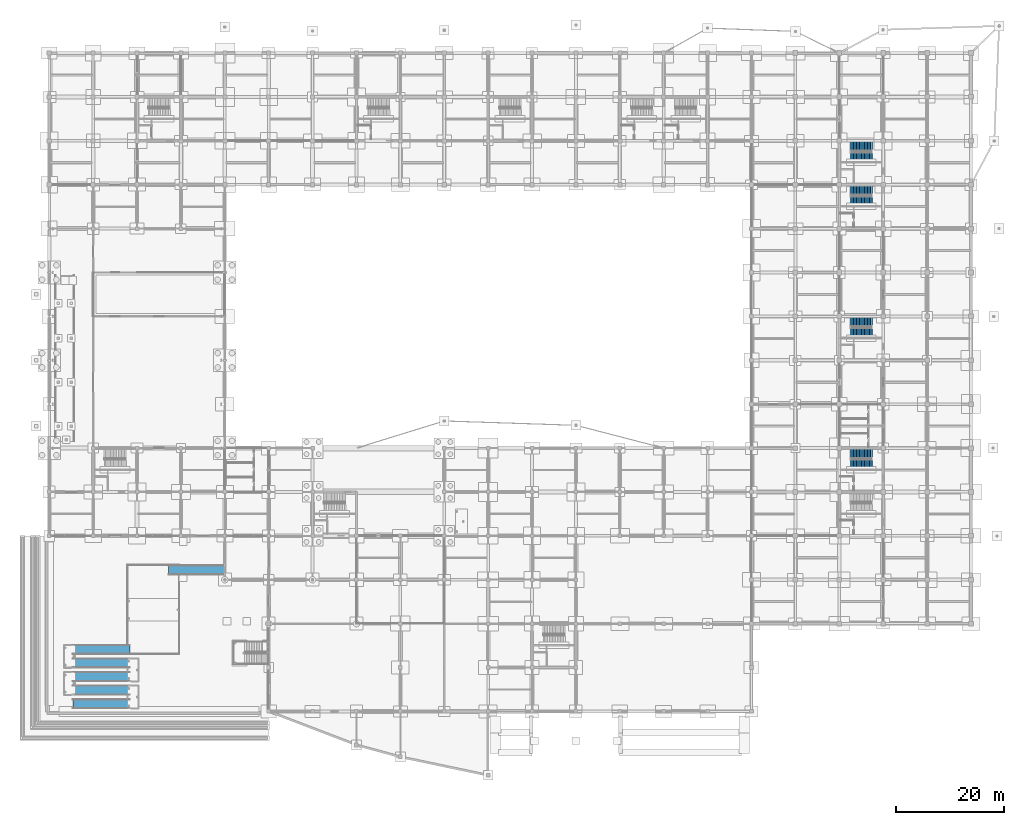
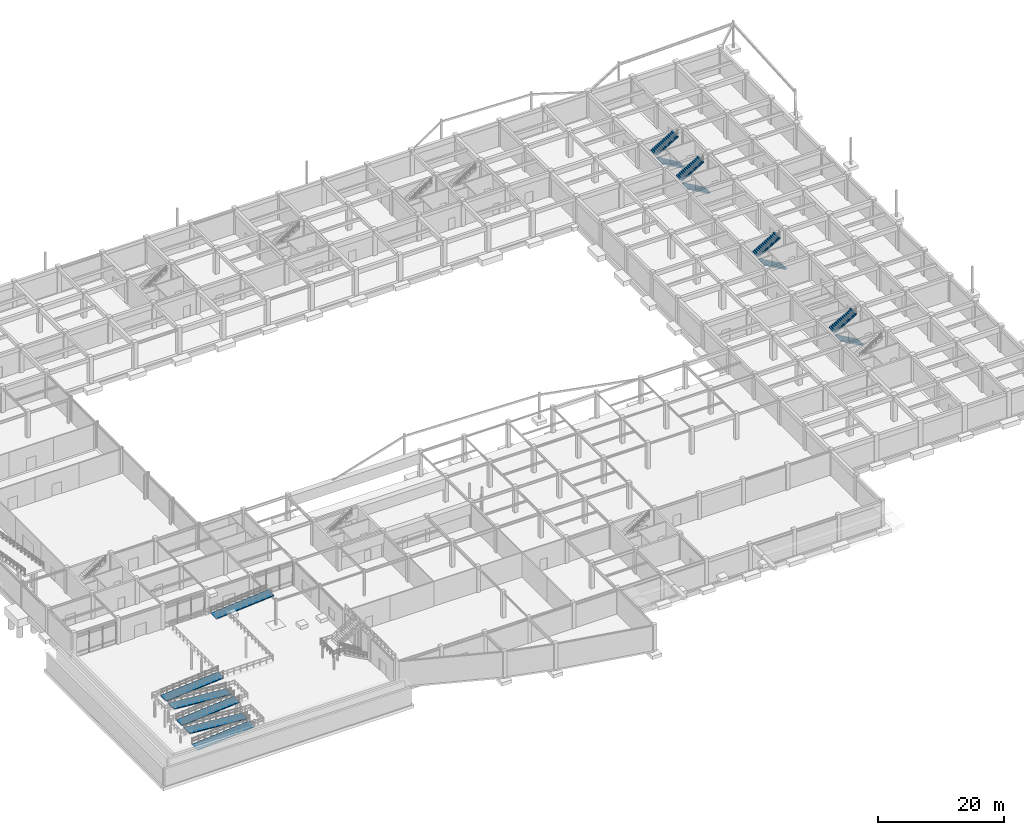
# One storey, part 57 of 67: 8 stair flights, 6 ramp flights, 10 elements without a shape of their own.
"""IFC4 building model written with IfcOpenShell, lengths in metres."""

from ifc_helpers import new_model, si_unit, direction, frame, origin, place, context, subcontext, project, spatial, polyline, outline, extrude, material, type_object, element, aggregate, save


model = new_model("IFC4")

# Units and contexts
model_context = context("Model", 3, precision=1e-05, world=origin(), true_north=direction((0.0, 1.0)))
body_context = subcontext(model_context, "Body", "Model", "MODEL_VIEW")
ifc_project = project(units=[si_unit("LENGTHUNIT", "METRE"), si_unit("AREAUNIT", "SQUARE_METRE"), si_unit("VOLUMEUNIT", "CUBIC_METRE"), si_unit("PLANEANGLEUNIT", "RADIAN"), si_unit("MASSUNIT", "GRAM", prefix="KILO")], contexts=[model_context])

# Site, building, storey
site_placement = place(None, origin())
site = spatial("IfcSite", under=ifc_project, at=site_placement, CompositionType="ELEMENT")
building_placement = place(site_placement, origin())
building = spatial("IfcBuilding", under=site, at=building_placement, Name="Vaudrelin Polytechnic", CompositionType="ELEMENT")
storey_placement = place(building_placement, frame((0.0, 0.0, -5.10009765625)))
storey = spatial("IfcBuildingStorey", under=building, at=storey_placement, Name="B1", CompositionType="ELEMENT", Elevation=-5.10009765625)

# Stair, stair flights
ifc_material = material(Name="Concrete 35 MPa", Category="concrete")
stair_type = type_object("IfcStairType", Name="STR-ST-CORE", PredefinedType="TWO_STRAIGHT_RUN_STAIR", material=ifc_material)
stair_1_placement = place(storey_placement, origin())
stair_1 = element("IfcStair", 1, at=stair_1_placement, inside=storey, type_object=stair_type, Name="Exit stair ST-06-B1", PredefinedType="TWO_STRAIGHT_RUN_STAIR")
stair_flight_type = type_object("IfcStairFlightType", Name="STF-STF-CORE", PredefinedType="STRAIGHT", material=ifc_material)
stair_flight_1_placement = place(storey_placement, frame((151.93994140625, 102.27001953125, 0.0), z_axis=(0.0, 0.0, 1.0), x_axis=(-1.0, 0.0, 0.0)))
stair_flight_1 = element("IfcStairFlight", 2, at=stair_flight_1_placement, type_object=stair_flight_type, Name="ST-06-B1 flight 1", NumberOfRisers=15, NumberOfTreads=14, PredefinedType="STRAIGHT", RiserHeight=0.17, TreadLength=0.295, context=body_context, shape_type="SweptSolid", body=[
    extrude(outline(polyline([(0.0, 0.0), (0.0, 0.169921875), (0.294921875, 0.169921875), (0.294921875, 0.340087890625), (0.590087890625, 0.340087890625), (0.590087890625, 0.510009765625), (0.885009765625, 0.510009765625), (0.885009765625, 0.679931640625), (1.179931640625, 0.679931640625), (1.179931640625, 0.85009765625), (1.47509765625, 0.85009765625), (1.47509765625, 1.02001953125), (1.77001953125, 1.02001953125), (1.77001953125, 1.18994140625), (2.06494140625, 1.18994140625), (2.06494140625, 1.360107421875), (2.360107421875, 1.360107421875), (2.360107421875, 1.530029296875), (2.655029296875, 1.530029296875), (2.655029296875, 1.699951171875), (2.949951171875, 1.699951171875), (2.949951171875, 1.8701171875), (3.2451171875, 1.8701171875), (3.2451171875, 2.0400390625), (3.5400390625, 2.0400390625), (3.5400390625, 2.2099609375), (3.8349609375, 2.2099609375), (3.8349609375, 2.3798828125), (4.1298828125, 2.3798828125), (4.1298828125, 2.550048828125), (4.1298828125, 2.149169921875), (0.400390625, 0.0), (0.0, 0.0)])), frame((0.0, 0.91015625, 0.0), z_axis=(0.0, -1.0, 0.0), x_axis=(1.0, 0.0, 0.0)), (0.0, 0.0, 1.0), 1.820068359375),
])
stair_flight_2_placement = place(storey_placement, frame((147.81005859375, 104.2900390625, 2.550048828125), z_axis=(0.0, 0.0, 1.0), x_axis=(1.0, 0.0, 0.0)))
stair_flight_2 = element("IfcStairFlight", 3, at=stair_flight_2_placement, type_object=stair_flight_type, Name="ST-06-B1 flight 2", NumberOfRisers=15, NumberOfTreads=14, PredefinedType="STRAIGHT", RiserHeight=0.17, TreadLength=0.29214, context=body_context, shape_type="SweptSolid", body=[
    extrude(outline(polyline([(0.0, 0.0), (0.0, 0.169921875), (0.292236328125, 0.169921875), (0.292236328125, 0.340087890625), (0.584228515625, 0.340087890625), (0.584228515625, 0.510009765625), (0.87646484375, 0.510009765625), (0.87646484375, 0.679931640625), (1.16845703125, 0.679931640625), (1.16845703125, 0.85009765625), (1.460693359375, 0.85009765625), (1.460693359375, 1.02001953125), (1.7529296875, 1.02001953125), (1.7529296875, 1.18994140625), (2.044921875, 1.18994140625), (2.044921875, 1.360107421875), (2.337158203125, 1.360107421875), (2.337158203125, 1.530029296875), (2.629150390625, 1.530029296875), (2.629150390625, 1.699951171875), (2.92138671875, 1.699951171875), (2.92138671875, 1.8701171875), (3.213623046875, 1.8701171875), (3.213623046875, 2.0400390625), (3.505615234375, 2.0400390625), (3.505615234375, 2.2099609375), (3.7978515625, 2.2099609375), (3.7978515625, 2.3798828125), (4.08984375, 2.3798828125), (4.08984375, 2.550048828125), (4.08984375, 2.148681640625), (0.3974609375, 0.0), (0.0, 0.0)])), frame((0.0, 0.91015625, 0.0), z_axis=(0.0, -1.0, 0.0), x_axis=(1.0, 0.0, 0.0)), (0.0, 0.0, 1.0), 1.820068359375),
])
aggregate(stair_1, [stair_flight_1, stair_flight_2])

stair_2_placement = place(storey_placement, origin())
stair_2 = element("IfcStair", 4, at=stair_2_placement, inside=storey, type_object=stair_type, Name="Exit stair ST-07-B1", PredefinedType="TWO_STRAIGHT_RUN_STAIR")
stair_flight_3_placement = place(storey_placement, frame((151.93994140625, 69.8701171875, 0.0), z_axis=(0.0, 0.0, 1.0), x_axis=(-1.0, 0.0, 0.0)))
stair_flight_3 = element("IfcStairFlight", 5, at=stair_flight_3_placement, type_object=stair_flight_type, Name="ST-07-B1 flight 1", NumberOfRisers=15, NumberOfTreads=14, PredefinedType="STRAIGHT", RiserHeight=0.17, TreadLength=0.295, context=body_context, shape_type="SweptSolid", body=[
    extrude(outline(polyline([(0.0, 0.0), (0.0, 0.169921875), (0.294921875, 0.169921875), (0.294921875, 0.340087890625), (0.590087890625, 0.340087890625), (0.590087890625, 0.510009765625), (0.885009765625, 0.510009765625), (0.885009765625, 0.679931640625), (1.179931640625, 0.679931640625), (1.179931640625, 0.85009765625), (1.47509765625, 0.85009765625), (1.47509765625, 1.02001953125), (1.77001953125, 1.02001953125), (1.77001953125, 1.18994140625), (2.06494140625, 1.18994140625), (2.06494140625, 1.360107421875), (2.360107421875, 1.360107421875), (2.360107421875, 1.530029296875), (2.655029296875, 1.530029296875), (2.655029296875, 1.699951171875), (2.949951171875, 1.699951171875), (2.949951171875, 1.8701171875), (3.2451171875, 1.8701171875), (3.2451171875, 2.0400390625), (3.5400390625, 2.0400390625), (3.5400390625, 2.2099609375), (3.8349609375, 2.2099609375), (3.8349609375, 2.3798828125), (4.1298828125, 2.3798828125), (4.1298828125, 2.550048828125), (4.1298828125, 2.149169921875), (0.400390625, 0.0), (0.0, 0.0)])), frame((0.0, 0.91015625, 0.0), z_axis=(0.0, -1.0, 0.0), x_axis=(1.0, 0.0, 0.0)), (0.0, 0.0, 1.0), 1.820068359375),
])
stair_flight_4_placement = place(storey_placement, frame((147.81005859375, 71.889892578125, 2.550048828125), z_axis=(0.0, 0.0, 1.0), x_axis=(1.0, 0.0, 0.0)))
stair_flight_4 = element("IfcStairFlight", 6, at=stair_flight_4_placement, type_object=stair_flight_type, Name="ST-07-B1 flight 2", NumberOfRisers=15, NumberOfTreads=14, PredefinedType="STRAIGHT", RiserHeight=0.17, TreadLength=0.29214, context=body_context, shape_type="SweptSolid", body=[
    extrude(outline(polyline([(0.0, 0.0), (0.0, 0.169921875), (0.292236328125, 0.169921875), (0.292236328125, 0.340087890625), (0.584228515625, 0.340087890625), (0.584228515625, 0.510009765625), (0.87646484375, 0.510009765625), (0.87646484375, 0.679931640625), (1.16845703125, 0.679931640625), (1.16845703125, 0.85009765625), (1.460693359375, 0.85009765625), (1.460693359375, 1.02001953125), (1.7529296875, 1.02001953125), (1.7529296875, 1.18994140625), (2.044921875, 1.18994140625), (2.044921875, 1.360107421875), (2.337158203125, 1.360107421875), (2.337158203125, 1.530029296875), (2.629150390625, 1.530029296875), (2.629150390625, 1.699951171875), (2.92138671875, 1.699951171875), (2.92138671875, 1.8701171875), (3.213623046875, 1.8701171875), (3.213623046875, 2.0400390625), (3.505615234375, 2.0400390625), (3.505615234375, 2.2099609375), (3.7978515625, 2.2099609375), (3.7978515625, 2.3798828125), (4.08984375, 2.3798828125), (4.08984375, 2.550048828125), (4.08984375, 2.148681640625), (0.3974609375, 0.0), (0.0, 0.0)])), frame((0.0, 0.91015625, 0.0), z_axis=(0.0, -1.0, 0.0), x_axis=(1.0, 0.0, 0.0)), (0.0, 0.0, 1.0), 1.820068359375),
])
aggregate(stair_2, [stair_flight_3, stair_flight_4])

stair_3_placement = place(storey_placement, origin())
stair_3 = element("IfcStair", 7, at=stair_3_placement, inside=storey, type_object=stair_type, Name="Exit stair ST-12-B1", PredefinedType="TWO_STRAIGHT_RUN_STAIR")
stair_flight_5_placement = place(storey_placement, frame((151.93994140625, 45.570068359375, 0.0), z_axis=(0.0, 0.0, 1.0), x_axis=(-1.0, 0.0, 0.0)))
stair_flight_5 = element("IfcStairFlight", 8, at=stair_flight_5_placement, type_object=stair_flight_type, Name="ST-12-B1 flight 1", NumberOfRisers=15, NumberOfTreads=14, PredefinedType="STRAIGHT", RiserHeight=0.17, TreadLength=0.295, context=body_context, shape_type="SweptSolid", body=[
    extrude(outline(polyline([(0.0, 0.0), (0.0, 0.169921875), (0.294921875, 0.169921875), (0.294921875, 0.340087890625), (0.590087890625, 0.340087890625), (0.590087890625, 0.510009765625), (0.885009765625, 0.510009765625), (0.885009765625, 0.679931640625), (1.179931640625, 0.679931640625), (1.179931640625, 0.85009765625), (1.47509765625, 0.85009765625), (1.47509765625, 1.02001953125), (1.77001953125, 1.02001953125), (1.77001953125, 1.18994140625), (2.06494140625, 1.18994140625), (2.06494140625, 1.360107421875), (2.360107421875, 1.360107421875), (2.360107421875, 1.530029296875), (2.655029296875, 1.530029296875), (2.655029296875, 1.699951171875), (2.949951171875, 1.699951171875), (2.949951171875, 1.8701171875), (3.2451171875, 1.8701171875), (3.2451171875, 2.0400390625), (3.5400390625, 2.0400390625), (3.5400390625, 2.2099609375), (3.8349609375, 2.2099609375), (3.8349609375, 2.3798828125), (4.1298828125, 2.3798828125), (4.1298828125, 2.550048828125), (4.1298828125, 2.149169921875), (0.400390625, 0.0), (0.0, 0.0)])), frame((0.0, 0.91015625, 0.0), z_axis=(0.0, -1.0, 0.0), x_axis=(1.0, 0.0, 0.0)), (0.0, 0.0, 1.0), 1.820068359375),
])
stair_flight_6_placement = place(storey_placement, frame((147.81005859375, 47.590087890625, 2.550048828125), z_axis=(0.0, 0.0, 1.0), x_axis=(1.0, 0.0, 0.0)))
stair_flight_6 = element("IfcStairFlight", 9, at=stair_flight_6_placement, type_object=stair_flight_type, Name="ST-12-B1 flight 2", NumberOfRisers=15, NumberOfTreads=14, PredefinedType="STRAIGHT", RiserHeight=0.17, TreadLength=0.29214, context=body_context, shape_type="SweptSolid", body=[
    extrude(outline(polyline([(0.0, 0.0), (0.0, 0.169921875), (0.292236328125, 0.169921875), (0.292236328125, 0.340087890625), (0.584228515625, 0.340087890625), (0.584228515625, 0.510009765625), (0.87646484375, 0.510009765625), (0.87646484375, 0.679931640625), (1.16845703125, 0.679931640625), (1.16845703125, 0.85009765625), (1.460693359375, 0.85009765625), (1.460693359375, 1.02001953125), (1.7529296875, 1.02001953125), (1.7529296875, 1.18994140625), (2.044921875, 1.18994140625), (2.044921875, 1.360107421875), (2.337158203125, 1.360107421875), (2.337158203125, 1.530029296875), (2.629150390625, 1.530029296875), (2.629150390625, 1.699951171875), (2.92138671875, 1.699951171875), (2.92138671875, 1.8701171875), (3.213623046875, 1.8701171875), (3.213623046875, 2.0400390625), (3.505615234375, 2.0400390625), (3.505615234375, 2.2099609375), (3.7978515625, 2.2099609375), (3.7978515625, 2.3798828125), (4.08984375, 2.3798828125), (4.08984375, 2.550048828125), (4.08984375, 2.148681640625), (0.3974609375, 0.0), (0.0, 0.0)])), frame((0.0, 0.91015625, 0.0), z_axis=(0.0, -1.0, 0.0), x_axis=(1.0, 0.0, 0.0)), (0.0, 0.0, 1.0), 1.820068359375),
])
aggregate(stair_3, [stair_flight_5, stair_flight_6])

stair_4_placement = place(storey_placement, origin())
stair_4 = element("IfcStair", 10, at=stair_4_placement, inside=storey, type_object=stair_type, Name="Exit stair ST-13-B1", PredefinedType="TWO_STRAIGHT_RUN_STAIR")
stair_flight_7_placement = place(storey_placement, frame((151.93994140625, 94.169921875, 0.0), z_axis=(0.0, 0.0, 1.0), x_axis=(-1.0, 0.0, 0.0)))
stair_flight_7 = element("IfcStairFlight", 11, at=stair_flight_7_placement, type_object=stair_flight_type, Name="ST-13-B1 flight 1", NumberOfRisers=15, NumberOfTreads=14, PredefinedType="STRAIGHT", RiserHeight=0.17, TreadLength=0.295, context=body_context, shape_type="SweptSolid", body=[
    extrude(outline(polyline([(0.0, 0.0), (0.0, 0.169921875), (0.294921875, 0.169921875), (0.294921875, 0.340087890625), (0.590087890625, 0.340087890625), (0.590087890625, 0.510009765625), (0.885009765625, 0.510009765625), (0.885009765625, 0.679931640625), (1.179931640625, 0.679931640625), (1.179931640625, 0.85009765625), (1.47509765625, 0.85009765625), (1.47509765625, 1.02001953125), (1.77001953125, 1.02001953125), (1.77001953125, 1.18994140625), (2.06494140625, 1.18994140625), (2.06494140625, 1.360107421875), (2.360107421875, 1.360107421875), (2.360107421875, 1.530029296875), (2.655029296875, 1.530029296875), (2.655029296875, 1.699951171875), (2.949951171875, 1.699951171875), (2.949951171875, 1.8701171875), (3.2451171875, 1.8701171875), (3.2451171875, 2.0400390625), (3.5400390625, 2.0400390625), (3.5400390625, 2.2099609375), (3.8349609375, 2.2099609375), (3.8349609375, 2.3798828125), (4.1298828125, 2.3798828125), (4.1298828125, 2.550048828125), (4.1298828125, 2.149169921875), (0.400390625, 0.0), (0.0, 0.0)])), frame((0.0, 0.91015625, 0.0), z_axis=(0.0, -1.0, 0.0), x_axis=(1.0, 0.0, 0.0)), (0.0, 0.0, 1.0), 1.820068359375),
])
stair_flight_8_placement = place(storey_placement, frame((147.81005859375, 96.18994140625, 2.550048828125), z_axis=(0.0, 0.0, 1.0), x_axis=(1.0, 0.0, 0.0)))
stair_flight_8 = element("IfcStairFlight", 12, at=stair_flight_8_placement, type_object=stair_flight_type, Name="ST-13-B1 flight 2", NumberOfRisers=15, NumberOfTreads=14, PredefinedType="STRAIGHT", RiserHeight=0.17, TreadLength=0.29214, context=body_context, shape_type="SweptSolid", body=[
    extrude(outline(polyline([(0.0, 0.0), (0.0, 0.169921875), (0.292236328125, 0.169921875), (0.292236328125, 0.340087890625), (0.584228515625, 0.340087890625), (0.584228515625, 0.510009765625), (0.87646484375, 0.510009765625), (0.87646484375, 0.679931640625), (1.16845703125, 0.679931640625), (1.16845703125, 0.85009765625), (1.460693359375, 0.85009765625), (1.460693359375, 1.02001953125), (1.7529296875, 1.02001953125), (1.7529296875, 1.18994140625), (2.044921875, 1.18994140625), (2.044921875, 1.360107421875), (2.337158203125, 1.360107421875), (2.337158203125, 1.530029296875), (2.629150390625, 1.530029296875), (2.629150390625, 1.699951171875), (2.92138671875, 1.699951171875), (2.92138671875, 1.8701171875), (3.213623046875, 1.8701171875), (3.213623046875, 2.0400390625), (3.505615234375, 2.0400390625), (3.505615234375, 2.2099609375), (3.7978515625, 2.2099609375), (3.7978515625, 2.3798828125), (4.08984375, 2.3798828125), (4.08984375, 2.550048828125), (4.08984375, 2.148681640625), (0.3974609375, 0.0), (0.0, 0.0)])), frame((0.0, 0.91015625, 0.0), z_axis=(0.0, -1.0, 0.0), x_axis=(1.0, 0.0, 0.0)), (0.0, 0.0, 1.0), 1.820068359375),
])
aggregate(stair_4, [stair_flight_7, stair_flight_8])

# Ramp, ramp flight
ramp_type = type_object("IfcRampType", Name="RMP-RMP-ACC", PredefinedType="STRAIGHT_RUN_RAMP", material=ifc_material)
ramp_1_placement = place(storey_placement, origin())
ramp_1 = element("IfcRamp", 13, at=ramp_1_placement, inside=storey, type_object=ramp_type, Name="Accessible metro forecourt ramp 1", PredefinedType="STRAIGHT_RUN_RAMP")
ramp_flight_type = type_object("IfcRampFlightType", Name="RPF-RPF-ACC", PredefinedType="USERDEFINED", material=ifc_material)
ramp_flight_1_placement = place(storey_placement, frame((4.340087890625, 0.5, 0.0), z_axis=(-0.080545065467, 0.0, 0.99675096811), x_axis=(0.99675096811, 0.0, 0.080545065467)))
ramp_flight_1 = element("IfcRampFlight", 14, at=ramp_flight_1_placement, type_object=ramp_flight_type, Name="Accessible metro forecourt ramp flight 1", ObjectType="RAMP FLIGHT", PredefinedType="USERDEFINED", context=body_context, shape_type="SweptSolid", body=[
    extrude(outline(polyline([(0.0, 0.0), (10.55431082368921, 0.0), (10.55431082368921, 1.8000488281250004), (0.0, 1.8000488281250004), (0.0, 0.0)])), origin(), (0.0, 0.0, -1.0), 0.179931640625),
])
aggregate(ramp_1, [ramp_flight_1])

ramp_2_placement = place(storey_placement, origin())
ramp_2 = element("IfcRamp", 15, at=ramp_2_placement, inside=storey, type_object=ramp_type, Name="Accessible metro forecourt ramp 2", PredefinedType="STRAIGHT_RUN_RAMP")
ramp_flight_2_placement = place(storey_placement, frame((14.860107421875, 3.0, 0.85009765625), z_axis=(0.080545065467, 0.0, 0.99675096811), x_axis=(-0.99675096811, 0.0, 0.080545065467)))
ramp_flight_2 = element("IfcRampFlight", 16, at=ramp_flight_2_placement, type_object=ramp_flight_type, Name="Accessible metro forecourt ramp flight 2", ObjectType="RAMP FLIGHT", PredefinedType="USERDEFINED", context=body_context, shape_type="SweptSolid", body=[
    extrude(outline(polyline([(0.0, 0.0), (10.55431082368921, 0.0), (10.55431082368921, -1.8000488281250004), (0.0, -1.8000488281250004), (0.0, 0.0)])), origin(), (0.0, 0.0, -1.0), 0.179931640625),
])
aggregate(ramp_2, [ramp_flight_2])

ramp_3_placement = place(storey_placement, origin())
ramp_3 = element("IfcRamp", 17, at=ramp_3_placement, inside=storey, type_object=ramp_type, Name="Accessible metro forecourt ramp 3", PredefinedType="STRAIGHT_RUN_RAMP")
ramp_flight_3_placement = place(storey_placement, frame((4.340087890625, 5.5, 1.7001953125), z_axis=(-0.080522083631, 0.0, 0.996752824951), x_axis=(0.996752824951, 0.0, 0.080522083631)))
ramp_flight_3 = element("IfcRampFlight", 18, at=ramp_flight_3_placement, type_object=ramp_flight_type, Name="Accessible metro forecourt ramp flight 3", ObjectType="RAMP FLIGHT", PredefinedType="USERDEFINED", context=body_context, shape_type="SweptSolid", body=[
    extrude(outline(polyline([(0.0, 0.0), (10.554291162171985, 0.0), (10.554291162171985, 1.800048828125), (0.0, 1.800048828125), (0.0, 0.0)])), origin(), (0.0, 0.0, -1.0), 0.179931640625),
])
aggregate(ramp_3, [ramp_flight_3])

ramp_4_placement = place(storey_placement, origin())
ramp_4 = element("IfcRamp", 19, at=ramp_4_placement, inside=storey, type_object=ramp_type, Name="Accessible metro forecourt ramp 4", PredefinedType="STRAIGHT_RUN_RAMP")
ramp_flight_4_placement = place(storey_placement, frame((14.860107421875, 8.0, 2.550048828125), z_axis=(0.080545065467, 0.0, 0.99675096811), x_axis=(-0.99675096811, 0.0, 0.080545065467)))
ramp_flight_4 = element("IfcRampFlight", 20, at=ramp_flight_4_placement, type_object=ramp_flight_type, Name="Accessible metro forecourt ramp flight 4", ObjectType="RAMP FLIGHT", PredefinedType="USERDEFINED", context=body_context, shape_type="SweptSolid", body=[
    extrude(outline(polyline([(0.0, 0.0), (10.55431082368921, 0.0), (10.55431082368921, -1.8000488281250004), (0.0, -1.8000488281250004), (0.0, 0.0)])), origin(), (0.0, 0.0, -1.0), 0.179931640625),
])
aggregate(ramp_4, [ramp_flight_4])

ramp_5_placement = place(storey_placement, origin())
ramp_5 = element("IfcRamp", 21, at=ramp_5_placement, inside=storey, type_object=ramp_type, Name="Accessible metro forecourt ramp 5", PredefinedType="STRAIGHT_RUN_RAMP")
ramp_flight_5_placement = place(storey_placement, frame((4.340087890625, 10.5, 3.400146484375), z_axis=(-0.080522083631, 0.0, 0.996752824951), x_axis=(0.996752824951, 0.0, 0.080522083631)))
ramp_flight_5 = element("IfcRampFlight", 22, at=ramp_flight_5_placement, type_object=ramp_flight_type, Name="Accessible metro forecourt ramp flight 5", ObjectType="RAMP FLIGHT", PredefinedType="USERDEFINED", context=body_context, shape_type="SweptSolid", body=[
    extrude(outline(polyline([(0.0, 0.0), (10.554291162171985, 0.0), (10.554291162171985, 1.800048828125), (0.0, 1.800048828125), (0.0, 0.0)])), origin(), (0.0, 0.0, -1.0), 0.179931640625),
])
aggregate(ramp_5, [ramp_flight_5])

ramp_6_placement = place(storey_placement, origin())
ramp_6 = element("IfcRamp", 23, at=ramp_6_placement, inside=storey, type_object=ramp_type, Name="Accessible metro forecourt ramp 6", PredefinedType="STRAIGHT_RUN_RAMP")
ramp_flight_6_placement = place(storey_placement, frame((22.0400390625, 25.199951171875, 4.25), z_axis=(-0.080545065467, 0.0, 0.99675096811), x_axis=(0.99675096811, 0.0, 0.080545065467)))
ramp_flight_6 = element("IfcRampFlight", 24, at=ramp_flight_6_placement, type_object=ramp_flight_type, Name="Accessible metro forecourt ramp flight 6", ObjectType="RAMP FLIGHT", PredefinedType="USERDEFINED", context=body_context, shape_type="SweptSolid", body=[
    extrude(outline(polyline([(0.0, 0.0), (10.55431082368921, 0.0), (10.55431082368921, 1.8000488281250004), (0.0, 1.8000488281250004), (0.0, 0.0)])), origin(), (0.0, 0.0, -1.0), 0.179931640625),
])
aggregate(ramp_6, [ramp_flight_6])

save(model, "model.ifc")
